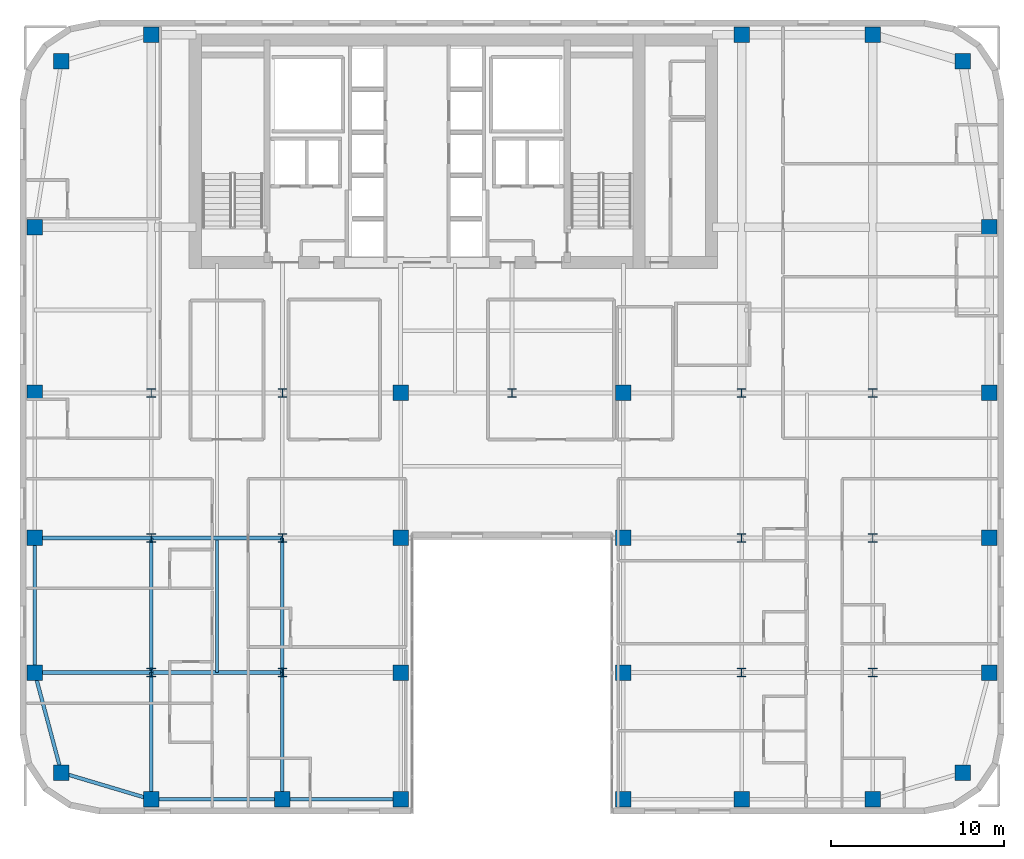
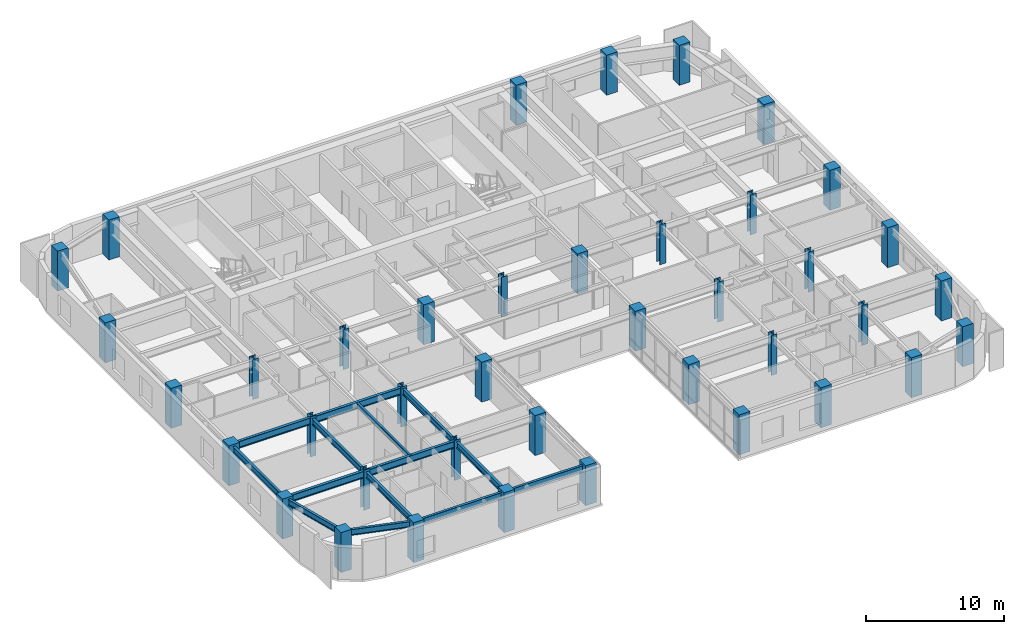
# One storey, part 1 of 16: 40 columns, 14 beams.
"""IFC4 building model written with IfcOpenShell, lengths in metres."""

from ifc_helpers import new_model, si_unit, direction, frame, origin, origin_2d, place, context, subcontext, project, spatial, rectangle, i_section, extrude, source, transform, mapped, material, material_profile, profile_set, type_object, type_shapes, element, save


model = new_model("IFC4")

# Units and contexts
model_context = context("Model", 3, precision=1e-05, world=origin(), true_north=direction((0.0, 1.0)))
body_context = subcontext(model_context, "Body", "Model", "MODEL_VIEW")
ifc_project = project(units=[si_unit("LENGTHUNIT", "METRE"), si_unit("AREAUNIT", "SQUARE_METRE"), si_unit("VOLUMEUNIT", "CUBIC_METRE"), si_unit("PLANEANGLEUNIT", "RADIAN"), si_unit("MASSUNIT", "GRAM", prefix="KILO")], contexts=[model_context])

# Site, building, storey
site_placement = place(None, origin())
site = spatial("IfcSite", under=ifc_project, at=site_placement, CompositionType="ELEMENT")
building_placement = place(site_placement, origin())
building = spatial("IfcBuilding", under=site, at=building_placement, Name="Tolvann Quenvar Hotel", CompositionType="ELEMENT")
storey_placement = place(building_placement, frame((0.0, 0.0, 115.10009765625)))
storey = spatial("IfcBuildingStorey", under=building, at=storey_placement, Name="L29", CompositionType="ELEMENT", Elevation=115.10009765625)

# Columns
ifc_material_1 = material(Name="Concrete S65 (65 MPa)", Category="concrete")
ifc_material_profile_1 = material_profile(ifc_material_1, rectangle(XDim=0.89990234375, YDim=0.89990234375, at=origin_2d()), Name="RC900x900")
ifc_profile_set_1 = profile_set([ifc_material_profile_1], Name="Concrete S65 (65 MPa)")
column_type_1 = type_object("IfcColumnType", Name="COL_RC900", PredefinedType="COLUMN", material=ifc_profile_set_1)
shared_shape_1 = source(origin(), body_context, "Body", "SweptSolid", [
    extrude(rectangle(XDim=0.89990234375, YDim=0.89990234375, at=origin_2d()), origin(), (0.0, 0.0, 1.0), 3.5498046875),
])
type_shapes(column_type_1, [shared_shape_1])
for number, where, z_axis, x_axis, name in (
    (1, (2.39990234375, 2.39990234375, 0.0), (0.0, 0.0, 1.0), (1.0, 0.0, 0.0), "Column B2 (L29)"),
    (2, (0.85009765625, 8.199951171875, 0.0), (0.0, 0.0, 1.0), (1.0, 0.0, 0.0), "Column B3 (L29)"),
    (3, (0.85009765625, 16.0, 0.0), (0.0, 0.0, 1.0), (1.0, 0.0, 0.0), "Column B4 (L29)"),
    (4, (0.85009765625, 24.39990234375, 0.0), (0.0, 0.0, 1.0), (1.0, 0.0, 0.0), "Column B5 (L29)"),
    (5, (7.60009765625, 0.85009765625, 0.0), (0.0, 0.0, 1.0), (1.0, 0.0, 0.0), "Column C2 (L29)"),
    (6, (15.199951171875, 0.85009765625, 0.0), (0.0, 0.0, 1.0), (1.0, 0.0, 0.0), "Column D2 (L29)"),
    (7, (22.050048828125, 0.85009765625, 0.0), (0.0, 0.0, 1.0), (1.0, 0.0, 0.0), "Column E2 (L29)"),
    (8, (22.050048828125, 8.199951171875, 0.0), (0.0, 0.0, 1.0), (1.0, 0.0, 0.0), "Column E3 (L29)"),
    (9, (22.050048828125, 16.0, 0.0), (0.0, 0.0, 1.0), (1.0, 0.0, 0.0), "Column E4 (L29)"),
    (10, (22.050048828125, 24.39990234375, 0.0), (0.0, 0.0, 1.0), (1.0, 0.0, 0.0), "Column E5 (L29)"),
    (11, (34.949951171875, 0.85009765625, 0.0), (0.0, 0.0, 1.0), (1.0, 0.0, 0.0), "Column F2 (L29)"),
    (12, (34.949951171875, 8.199951171875, 0.0), (0.0, 0.0, 1.0), (1.0, 0.0, 0.0), "Column F3 (L29)"),
    (13, (34.949951171875, 16.0, 0.0), (0.0, 0.0, 1.0), (1.0, 0.0, 0.0), "Column F4 (L29)"),
    (14, (34.949951171875, 24.39990234375, 0.0), (0.0, 0.0, 1.0), (1.0, 0.0, 0.0), "Column F5 (L29)"),
    (15, (41.800048828125, 0.85009765625, 0.0), (0.0, 0.0, 1.0), (1.0, 0.0, 0.0), "Column H2 (L29)"),
    (16, (49.39990234375, 0.85009765625, 0.0), (0.0, 0.0, 1.0), (1.0, 0.0, 0.0), "Column I2 (L29)"),
    (17, (54.60009765625, 2.39990234375, 0.0), (0.0, 0.0, 1.0), (1.0, 0.0, 0.0), "Column J2 (L29)"),
    (18, (56.14990234375, 8.199951171875, 0.0), (0.0, 0.0, 1.0), (1.0, 0.0, 0.0), "Column J3 (L29)"),
    (19, (56.14990234375, 16.0, 0.0), (0.0, 0.0, 1.0), (1.0, 0.0, 0.0), "Column J4 (L29)"),
    (20, (56.14990234375, 24.39990234375, 0.0), (0.0, 0.0, 1.0), (1.0, 0.0, 0.0), "Column J5 (L29)"),
    (21, (2.39990234375, 43.60009765625, 0.0), (0.0, 0.0, 1.0), (1.0, 0.0, 0.0), "Column BN (L29)"),
    (22, (7.60009765625, 45.14990234375, 0.0), (0.0, 0.0, 1.0), (1.0, 0.0, 0.0), "Column CN (L29)"),
    (23, (0.85009765625, 34.0, 0.0), (0.0, 0.0, 1.0), (1.0, 0.0, 0.0), "Column BD6 (L29)"),
    (24, (41.800048828125, 45.14990234375, 0.0), (0.0, 0.0, 1.0), (1.0, 0.0, 0.0), "Column HN (L29)"),
    (25, (49.39990234375, 45.14990234375, 0.0), (0.0, 0.0, 1.0), (1.0, 0.0, 0.0), "Column IN (L29)"),
    (26, (54.60009765625, 43.60009765625, 0.0), (0.0, 0.0, 1.0), (1.0, 0.0, 0.0), "Column JN (L29)"),
    (27, (56.14990234375, 34.0, 0.0), (0.0, 0.0, 1.0), (1.0, 0.0, 0.0), "Column JD6 (L29)"),
):
    element("IfcColumn", number, at=place(storey_placement, frame(where, z_axis=z_axis, x_axis=x_axis)), inside=storey, type_object=column_type_1, Name=name, PredefinedType="COLUMN", context=body_context, shape_type="MappedRepresentation", body=[
        mapped(shared_shape_1, transform((0.0, 0.0, 0.0), x_axis=(1.0, 0.0, 0.0), y_axis=(0.0, 1.0, 0.0), z_axis=(0.0, 0.0, 1.0), scale=1.0)),
    ])
ifc_material_2 = material(Name="Steel Grade 350", Category="steel")
ifc_material_profile_2 = material_profile(ifc_material_2, i_section(OverallWidth=0.5, OverallDepth=0.5, WebThickness=0.02197265625, FlangeThickness=0.033935546875, at=origin_2d()), Name="500WC340")
ifc_profile_set_2 = profile_set([ifc_material_profile_2], Name="Steel Grade 350")
column_type_2 = type_object("IfcColumnType", Name="COL_500WC340", PredefinedType="COLUMN", material=ifc_profile_set_2)
shared_shape_2 = source(origin(), body_context, "Body", "SweptSolid", [
    extrude(i_section(OverallWidth=0.5, OverallDepth=0.5, WebThickness=0.02197265625, FlangeThickness=0.033935546875, at=origin_2d()), origin(), (0.0, 0.0, 1.0), 3.5498046875),
])
type_shapes(column_type_2, [shared_shape_2])
for number, where, z_axis, x_axis, name in (
    (28, (7.60009765625, 8.199951171875, 0.0), (0.0, 0.0, 1.0), (1.0, 0.0, 0.0), "Column C3 (L29)"),
    (29, (7.60009765625, 16.0, 0.0), (0.0, 0.0, 1.0), (1.0, 0.0, 0.0), "Column C4 (L29)"),
    (30, (7.60009765625, 24.39990234375, 0.0), (0.0, 0.0, 1.0), (1.0, 0.0, 0.0), "Column C5 (L29)"),
    (31, (15.199951171875, 8.199951171875, 0.0), (0.0, 0.0, 1.0), (1.0, 0.0, 0.0), "Column D3 (L29)"),
    (32, (15.199951171875, 16.0, 0.0), (0.0, 0.0, 1.0), (1.0, 0.0, 0.0), "Column D4 (L29)"),
    (33, (15.199951171875, 24.39990234375, 0.0), (0.0, 0.0, 1.0), (1.0, 0.0, 0.0), "Column D5 (L29)"),
    (34, (41.800048828125, 8.199951171875, 0.0), (0.0, 0.0, 1.0), (1.0, 0.0, 0.0), "Column H3 (L29)"),
    (35, (41.800048828125, 16.0, 0.0), (0.0, 0.0, 1.0), (1.0, 0.0, 0.0), "Column H4 (L29)"),
    (36, (41.800048828125, 24.39990234375, 0.0), (0.0, 0.0, 1.0), (1.0, 0.0, 0.0), "Column H5 (L29)"),
    (37, (49.39990234375, 8.199951171875, 0.0), (0.0, 0.0, 1.0), (1.0, 0.0, 0.0), "Column I3 (L29)"),
    (38, (49.39990234375, 16.0, 0.0), (0.0, 0.0, 1.0), (1.0, 0.0, 0.0), "Column I4 (L29)"),
    (39, (49.39990234375, 24.39990234375, 0.0), (0.0, 0.0, 1.0), (1.0, 0.0, 0.0), "Column I5 (L29)"),
    (40, (28.5, 24.39990234375, 0.0), (0.0, 0.0, 1.0), (1.0, 0.0, 0.0), "Column M5 (L29)"),
):
    element("IfcColumn", number, at=place(storey_placement, frame(where, z_axis=z_axis, x_axis=x_axis)), inside=storey, type_object=column_type_2, Name=name, PredefinedType="COLUMN", context=body_context, shape_type="MappedRepresentation", body=[
        mapped(shared_shape_2, transform((0.0, 0.0, 0.0), x_axis=(1.0, 0.0, 0.0), y_axis=(0.0, 1.0, 0.0), z_axis=(0.0, 0.0, 1.0), scale=1.0)),
    ])

# Beams
ifc_material_profile_3 = material_profile(ifc_material_2, i_section(OverallWidth=0.208984375, OverallDepth=0.528076171875, WebThickness=0.009521484375, FlangeThickness=0.01318359375, FilletRadius=0.013916015625, at=origin_2d()), Name="530UB82")
ifc_profile_set_3 = profile_set([ifc_material_profile_3], Name="Steel Grade 350")
beam_type_1 = type_object("IfcBeamType", Name="BM_SPAND_530UB82", PredefinedType="SPANDREL", material=ifc_profile_set_3)
shared_shape_3 = source(origin(), body_context, "Body", "SweptSolid", [
    extrude(i_section(OverallWidth=0.208984375, OverallDepth=0.528076171875, WebThickness=0.009521484375, FlangeThickness=0.01318359375, FilletRadius=0.013916015625, at=origin_2d()), origin(), (0.0, 0.0, 1.0), 5.42626953125),
])
beam_1_placement = place(storey_placement, frame((2.39990234375, 2.39990234375, 3.10595703125), z_axis=(0.958344815522, -0.285613750654, 0.0), x_axis=(0.285613750654, 0.958344815522, 0.0)))
element("IfcBeam", 41, at=beam_1_placement, inside=storey, type_object=beam_type_1, Name="BM-L29-EW-2-B2-C2", PredefinedType="SPANDREL", context=body_context, shape_type="MappedRepresentation", body=[
    mapped(shared_shape_3, transform((0.0, 0.0, 0.0), x_axis=(1.0, 0.0, 0.0), y_axis=(0.0, 1.0, 0.0), z_axis=(0.0, 0.0, 1.0), scale=1.0)),
])
shared_shape_4 = source(origin(), body_context, "Body", "SweptSolid", [
    extrude(i_section(OverallWidth=0.208984375, OverallDepth=0.528076171875, WebThickness=0.009521484375, FlangeThickness=0.01318359375, FilletRadius=0.013916015625, at=origin_2d()), origin(), (0.0, 0.0, 1.0), 7.599853515625),
])
beam_2_placement = place(storey_placement, frame((7.60009765625, 0.85009765625, 3.10595703125), z_axis=(1.0, 0.0, 0.0), x_axis=(0.0, 1.0, 0.0)))
element("IfcBeam", 42, at=beam_2_placement, inside=storey, type_object=beam_type_1, Name="BM-L29-EW-2-C2-D2", PredefinedType="SPANDREL", context=body_context, shape_type="MappedRepresentation", body=[
    mapped(shared_shape_4, transform((0.0, 0.0, 0.0), x_axis=(1.0, 0.0, 0.0), y_axis=(0.0, 1.0, 0.0), z_axis=(0.0, 0.0, 1.0), scale=1.0)),
])
shared_shape_5 = source(origin(), body_context, "Body", "SweptSolid", [
    extrude(i_section(OverallWidth=0.208984375, OverallDepth=0.528076171875, WebThickness=0.009521484375, FlangeThickness=0.01318359375, FilletRadius=0.013916015625, at=origin_2d()), origin(), (0.0, 0.0, 1.0), 6.85009765625),
])
beam_3_placement = place(storey_placement, frame((15.199951171875, 0.85009765625, 3.10595703125), z_axis=(1.0, 0.0, 0.0), x_axis=(0.0, 1.0, 0.0)))
element("IfcBeam", 43, at=beam_3_placement, inside=storey, type_object=beam_type_1, Name="BM-L29-EW-2-D2-E2", PredefinedType="SPANDREL", context=body_context, shape_type="MappedRepresentation", body=[
    mapped(shared_shape_5, transform((0.0, 0.0, 0.0), x_axis=(1.0, 0.0, 0.0), y_axis=(0.0, 1.0, 0.0), z_axis=(0.0, 0.0, 1.0), scale=1.0)),
])
ifc_material_profile_4 = material_profile(ifc_material_2, i_section(OverallWidth=0.22900390625, OverallDepth=0.612060546875, WebThickness=0.011962890625, FlangeThickness=0.01953125, FilletRadius=0.013916015625, at=origin_2d()), Name="610UB125")
ifc_profile_set_4 = profile_set([ifc_material_profile_4], Name="Steel Grade 350")
beam_type_2 = type_object("IfcBeamType", Name="BM_GIRD_610UB125", PredefinedType="BEAM", material=ifc_profile_set_4)
shared_shape_6 = source(origin(), body_context, "Body", "SweptSolid", [
    extrude(i_section(OverallWidth=0.22900390625, OverallDepth=0.612060546875, WebThickness=0.011962890625, FlangeThickness=0.01953125, FilletRadius=0.013916015625, at=origin_2d()), origin(), (0.0, 0.0, 1.0), 6.75),
])
for number, where, z_axis, x_axis, name in (
    (44, (0.85009765625, 8.199951171875, 3.06396484375), (1.0, 0.0, 0.0), (0.0, 1.0, 0.0), "BM-L29-EW-3-B3-C3"),
    (45, (0.85009765625, 16.0, 3.06396484375), (1.0, 0.0, 0.0), (0.0, 1.0, 0.0), "BM-L29-EW-4-B4-C4"),
):
    element("IfcBeam", number, at=place(storey_placement, frame(where, z_axis=z_axis, x_axis=x_axis)), inside=storey, type_object=beam_type_2, Name=name, PredefinedType="BEAM", context=body_context, shape_type="MappedRepresentation", body=[
        mapped(shared_shape_6, transform((0.0, 0.0, 0.0), x_axis=(1.0, 0.0, 0.0), y_axis=(0.0, 1.0, 0.0), z_axis=(0.0, 0.0, 1.0), scale=1.0)),
    ])
shared_shape_7 = source(origin(), body_context, "Body", "SweptSolid", [
    extrude(i_section(OverallWidth=0.22900390625, OverallDepth=0.612060546875, WebThickness=0.011962890625, FlangeThickness=0.01953125, FilletRadius=0.013916015625, at=origin_2d()), origin(), (0.0, 0.0, 1.0), 7.599853515625),
])
type_shapes(beam_type_2, [shared_shape_6, shared_shape_7])
for number, where, z_axis, x_axis, name in (
    (46, (7.60009765625, 8.199951171875, 3.06396484375), (1.0, 0.0, 0.0), (0.0, 1.0, 0.0), "BM-L29-EW-3-C3-D3"),
    (47, (7.60009765625, 16.0, 3.06396484375), (1.0, 0.0, 0.0), (0.0, 1.0, 0.0), "BM-L29-EW-4-C4-D4"),
):
    element("IfcBeam", number, at=place(storey_placement, frame(where, z_axis=z_axis, x_axis=x_axis)), inside=storey, type_object=beam_type_2, Name=name, PredefinedType="BEAM", context=body_context, shape_type="MappedRepresentation", body=[
        mapped(shared_shape_7, transform((0.0, 0.0, 0.0), x_axis=(1.0, 0.0, 0.0), y_axis=(0.0, 1.0, 0.0), z_axis=(0.0, 0.0, 1.0), scale=1.0)),
    ])
shared_shape_8 = source(origin(), body_context, "Body", "SweptSolid", [
    extrude(i_section(OverallWidth=0.208984375, OverallDepth=0.528076171875, WebThickness=0.009521484375, FlangeThickness=0.01318359375, FilletRadius=0.013916015625, at=origin_2d()), origin(), (0.0, 0.0, 1.0), 6.00341796875),
])
beam_4_placement = place(storey_placement, frame((2.39990234375, 2.39990234375, 3.10595703125), z_axis=(-0.258148586649, 0.966105225745, 0.0), x_axis=(-0.966105225745, -0.258148586649, 0.0)))
element("IfcBeam", 48, at=beam_4_placement, inside=storey, type_object=beam_type_1, Name="BM-L29-NS-B2-B3", PredefinedType="SPANDREL", context=body_context, shape_type="MappedRepresentation", body=[
    mapped(shared_shape_8, transform((0.0, 0.0, 0.0), x_axis=(1.0, 0.0, 0.0), y_axis=(0.0, 1.0, 0.0), z_axis=(0.0, 0.0, 1.0), scale=1.0)),
])
shared_shape_9 = source(origin(), body_context, "Body", "SweptSolid", [
    extrude(i_section(OverallWidth=0.208984375, OverallDepth=0.528076171875, WebThickness=0.009521484375, FlangeThickness=0.01318359375, FilletRadius=0.013916015625, at=origin_2d()), origin(), (0.0, 0.0, 1.0), 7.800048828125),
])
type_shapes(beam_type_1, [shared_shape_3, shared_shape_4, shared_shape_5, shared_shape_8, shared_shape_9])
beam_5_placement = place(storey_placement, frame((0.85009765625, 8.199951171875, 3.10595703125), z_axis=(0.0, 1.0, 0.0), x_axis=(-1.0, 0.0, 0.0)))
element("IfcBeam", 49, at=beam_5_placement, inside=storey, type_object=beam_type_1, Name="BM-L29-NS-B3-B4", PredefinedType="SPANDREL", context=body_context, shape_type="MappedRepresentation", body=[
    mapped(shared_shape_9, transform((0.0, 0.0, 0.0), x_axis=(1.0, 0.0, 0.0), y_axis=(0.0, 1.0, 0.0), z_axis=(0.0, 0.0, 1.0), scale=1.0)),
])
ifc_material_profile_5 = material_profile(ifc_material_2, i_section(OverallWidth=0.208984375, OverallDepth=0.532958984375, WebThickness=0.01025390625, FlangeThickness=0.015625, FilletRadius=0.013916015625, at=origin_2d()), Name="530UB92")
ifc_profile_set_5 = profile_set([ifc_material_profile_5], Name="Steel Grade 350")
beam_type_3 = type_object("IfcBeamType", Name="BM_GIRD_530UB92", PredefinedType="BEAM", material=ifc_profile_set_5)
shared_shape_10 = source(origin(), body_context, "Body", "SweptSolid", [
    extrude(i_section(OverallWidth=0.208984375, OverallDepth=0.532958984375, WebThickness=0.01025390625, FlangeThickness=0.015625, FilletRadius=0.013916015625, at=origin_2d()), origin(), (0.0, 0.0, 1.0), 7.349853515625),
])
for number, where, z_axis, x_axis, name in (
    (50, (7.60009765625, 0.85009765625, 3.103515625), (0.0, 1.0, 0.0), (-1.0, 0.0, 0.0), "BM-L29-NS-C2-C3"),
    (51, (15.199951171875, 0.85009765625, 3.103515625), (0.0, 1.0, 0.0), (-1.0, 0.0, 0.0), "BM-L29-NS-D2-D3"),
):
    element("IfcBeam", number, at=place(storey_placement, frame(where, z_axis=z_axis, x_axis=x_axis)), inside=storey, type_object=beam_type_3, Name=name, PredefinedType="BEAM", context=body_context, shape_type="MappedRepresentation", body=[
        mapped(shared_shape_10, transform((0.0, 0.0, 0.0), x_axis=(1.0, 0.0, 0.0), y_axis=(0.0, 1.0, 0.0), z_axis=(0.0, 0.0, 1.0), scale=1.0)),
    ])
shared_shape_11 = source(origin(), body_context, "Body", "SweptSolid", [
    extrude(i_section(OverallWidth=0.208984375, OverallDepth=0.532958984375, WebThickness=0.01025390625, FlangeThickness=0.015625, FilletRadius=0.013916015625, at=origin_2d()), origin(), (0.0, 0.0, 1.0), 7.800048828125),
])
type_shapes(beam_type_3, [shared_shape_10, shared_shape_11])
for number, where, z_axis, x_axis, name in (
    (52, (7.60009765625, 8.199951171875, 3.103515625), (0.0, 1.0, 0.0), (-1.0, 0.0, 0.0), "BM-L29-NS-C3-C4"),
    (53, (15.199951171875, 8.199951171875, 3.103515625), (0.0, 1.0, 0.0), (-1.0, 0.0, 0.0), "BM-L29-NS-D3-D4"),
):
    element("IfcBeam", number, at=place(storey_placement, frame(where, z_axis=z_axis, x_axis=x_axis)), inside=storey, type_object=beam_type_3, Name=name, PredefinedType="BEAM", context=body_context, shape_type="MappedRepresentation", body=[
        mapped(shared_shape_11, transform((0.0, 0.0, 0.0), x_axis=(1.0, 0.0, 0.0), y_axis=(0.0, 1.0, 0.0), z_axis=(0.0, 0.0, 1.0), scale=1.0)),
    ])
ifc_material_profile_6 = material_profile(ifc_material_2, i_section(OverallWidth=0.177978515625, OverallDepth=0.406005859375, WebThickness=0.0078125, FlangeThickness=0.0126953125, FilletRadius=0.011474609375, at=origin_2d()), Name="410UB60")
ifc_profile_set_6 = profile_set([ifc_material_profile_6], Name="Steel Grade 350")
beam_type_4 = type_object("IfcBeamType", Name="BM_JOIST_410UB60", PredefinedType="JOIST", material=ifc_profile_set_6)
shared_shape_12 = source(origin(), body_context, "Body", "SweptSolid", [
    extrude(i_section(OverallWidth=0.177978515625, OverallDepth=0.406005859375, WebThickness=0.0078125, FlangeThickness=0.0126953125, FilletRadius=0.011474609375, at=origin_2d()), origin(), (0.0, 0.0, 1.0), 7.691650390625),
])
type_shapes(beam_type_4, [shared_shape_12])
beam_6_placement = place(storey_placement, frame((11.39990234375, 8.199951171875, 3.1669921875), z_axis=(0.0, 1.0, 0.0), x_axis=(-1.0, 0.0, 0.0)))
element("IfcBeam", 54, at=beam_6_placement, inside=storey, type_object=beam_type_4, Name="BJ-L29-114-82", PredefinedType="JOIST", context=body_context, shape_type="MappedRepresentation", body=[
    mapped(shared_shape_12, transform((0.0, 0.0, 0.0), x_axis=(1.0, 0.0, 0.0), y_axis=(0.0, 1.0, 0.0), z_axis=(0.0, 0.0, 1.0), scale=1.0)),
])

save(model, "model.ifc")
